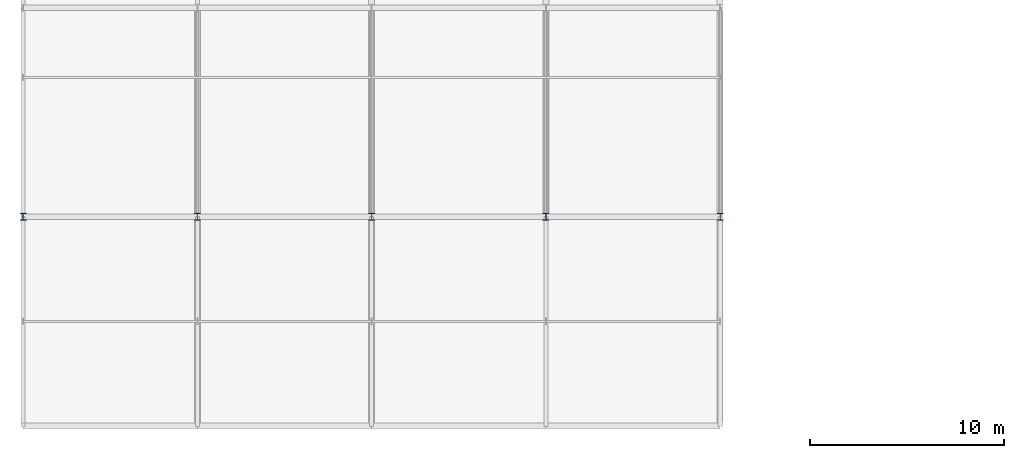
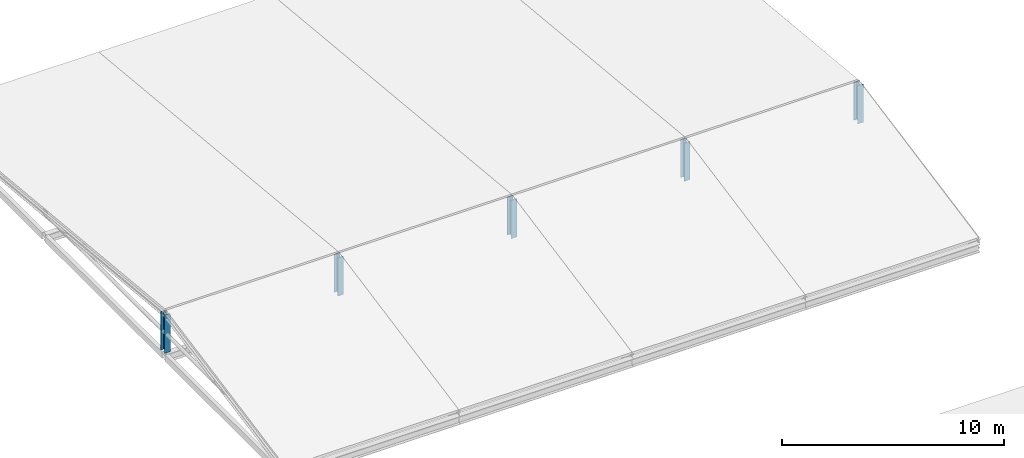
# One storey, part 2 of 110: 5 columns.
"""IFC4 building model written with IfcOpenShell, lengths in metres."""

from ifc_helpers import new_model, si_unit, direction, frame, origin, origin_2d, place, context, subcontext, project, spatial, i_section, extrude, material, material_profile, profile_set, type_object, element, save


model = new_model("IFC4")

# Units and contexts
model_context = context("Model", 3, precision=1e-05, world=origin(), true_north=direction((0.0, 1.0)))
body_context = subcontext(model_context, "Body", "Model", "MODEL_VIEW")
ifc_project = project(units=[si_unit("LENGTHUNIT", "METRE"), si_unit("AREAUNIT", "SQUARE_METRE"), si_unit("VOLUMEUNIT", "CUBIC_METRE"), si_unit("PLANEANGLEUNIT", "RADIAN"), si_unit("MASSUNIT", "GRAM", prefix="KILO")], contexts=[model_context])

# Site, building, storey
site_placement = place(None, origin())
site = spatial("IfcSite", under=ifc_project, at=site_placement, CompositionType="ELEMENT")
building_placement = place(site_placement, origin())
building = spatial("IfcBuilding", under=site, at=building_placement, Name="Tamarisk Ironworks Central Station", CompositionType="ELEMENT")
storey_placement = place(building_placement, frame((0.0, 0.0, 17.39990234375)))
storey = spatial("IfcBuildingStorey", under=building, at=storey_placement, Name="L03", CompositionType="ELEMENT", Elevation=17.39990234375)

# Columns
ifc_material = material(Name="Structural steel S355J2", Category="steel")
ifc_material_profile = material_profile(ifc_material, i_section(OverallWidth=0.300048828125, OverallDepth=0.360107421875, WebThickness=0.012451171875, FlangeThickness=0.0224609375, at=origin_2d()), Name="HEB 360")
ifc_profile_set = profile_set([ifc_material_profile], Name="Structural steel S355J2")
column_type = type_object("IfcColumnType", Name="COL-S10", PredefinedType="COLUMN", material=ifc_profile_set)
for number, where, z_axis, x_axis, name in (
    (1, (0.0, 100.800048828125, 0.0), (0.0, 0.0, 1.0), (1.0, 0.0, 0.0), "L03 column V4-01J"),
    (2, (9.0, 100.800048828125, 0.0), (0.0, 0.0, 1.0), (1.0, 0.0, 0.0), "L03 column V4-02J"),
    (3, (18.0, 100.800048828125, 0.0), (0.0, 0.0, 1.0), (1.0, 0.0, 0.0), "L03 column V4-03J"),
    (4, (27.0, 100.800048828125, 0.0), (0.0, 0.0, 1.0), (1.0, 0.0, 0.0), "L03 column V4-04J"),
    (5, (36.0, 100.800048828125, 0.0), (0.0, 0.0, 1.0), (1.0, 0.0, 0.0), "L03 column V4-05J"),
):
    element("IfcColumn", number, at=place(storey_placement, frame(where, z_axis=z_axis, x_axis=x_axis)), inside=storey, type_object=column_type, Name=name, PredefinedType="COLUMN", context=body_context, shape_type="SweptSolid", body=[
        extrude(i_section(OverallWidth=0.300048828125, OverallDepth=0.360107421875, WebThickness=0.012451171875, FlangeThickness=0.0224609375, at=origin_2d()), origin(), (0.0, 0.0, 1.0), 2.10009765625),
    ])

save(model, "model.ifc")
